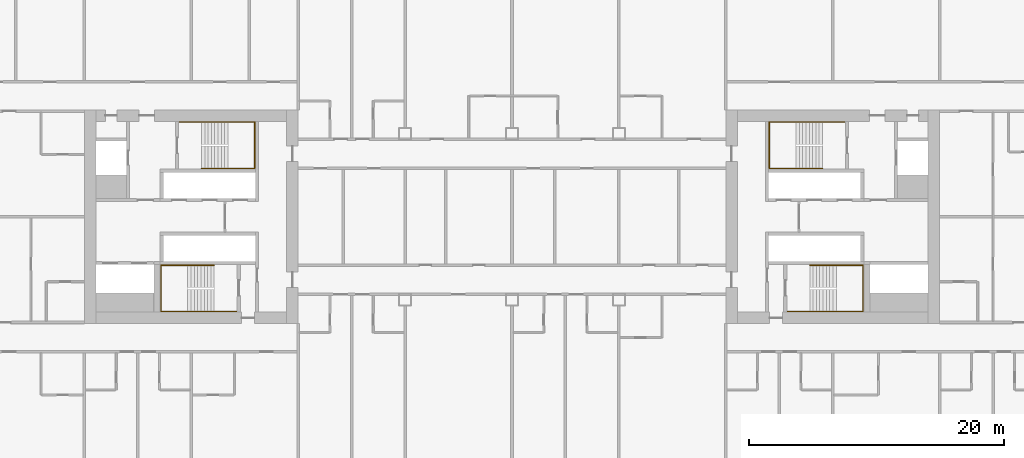
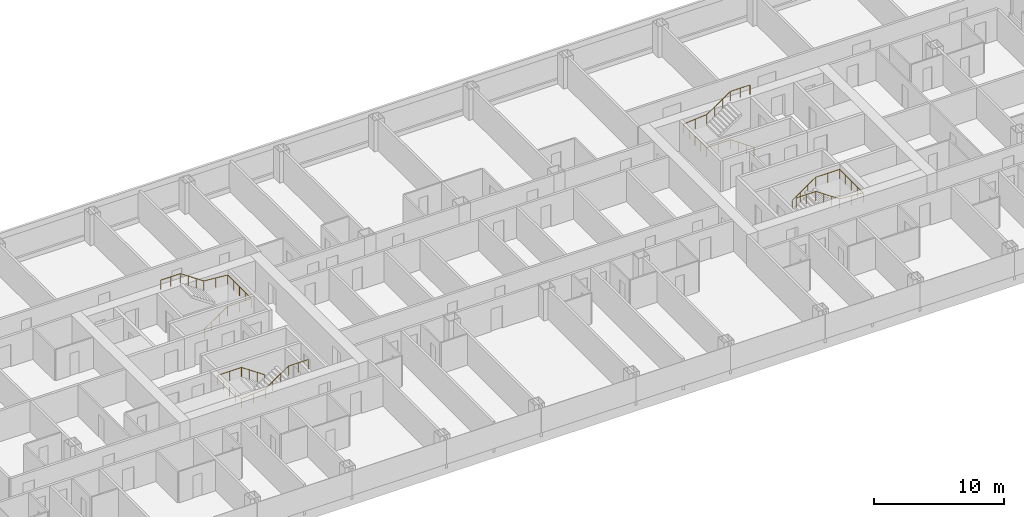
# One storey, part 29 of 29: 4 railings.
"""IFC4 building model written with IfcOpenShell, lengths in metres."""

from ifc_helpers import new_model, si_unit, direction, frame, origin, origin_2d, place, context, subcontext, project, spatial, circle, extrude, material, type_object, element, save


model = new_model("IFC4")

# Units and contexts
model_context = context("Model", 3, precision=1e-05, world=origin(), true_north=direction((0.0, 1.0)))
body_context = subcontext(model_context, "Body", "Model", "MODEL_VIEW")
ifc_project = project(units=[si_unit("LENGTHUNIT", "METRE"), si_unit("AREAUNIT", "SQUARE_METRE"), si_unit("VOLUMEUNIT", "CUBIC_METRE"), si_unit("PLANEANGLEUNIT", "RADIAN"), si_unit("MASSUNIT", "GRAM", prefix="KILO")], contexts=[model_context])

# Site, building, storey
site_placement = place(None, origin())
site = spatial("IfcSite", under=ifc_project, at=site_placement, CompositionType="ELEMENT")
building_placement = place(site_placement, origin())
building = spatial("IfcBuilding", under=site, at=building_placement, Name="Hakoniwa Tower and Hamabe Station Hall", CompositionType="ELEMENT")
storey_placement = place(building_placement, frame((0.0, 0.0, 61.39990234375)))
storey = spatial("IfcBuildingStorey", under=building, at=storey_placement, Name="L17", CompositionType="ELEMENT", Elevation=61.39990234375)

# Railings
ifc_material = material(Name="Stainless steel SUS304", Category="steel")
railing_type = type_object("IfcRailingType", Name="STAIR HANDRAIL 900", PredefinedType="HANDRAIL", material=ifc_material)
railing_1_placement = place(storey_placement, frame((-24.39990234375, 3.81005859375, 0.177978515625)))
element("IfcRailing", 1, at=railing_1_placement, inside=storey, type_object=railing_type, Name="Handrail ST-1 L17 1", PredefinedType="HANDRAIL", context=body_context, shape_type="SweptSolid", body=[
    extrude(circle(Radius=0.02392578125, at=origin_2d()), frame((0.0, 0.0, 0.8759765625), z_axis=(0.825478349766, 0.0, 0.564433781827), x_axis=(0.0, 1.0, 0.0)), (0.0, 0.0, 1.0), 2.51953125),
    extrude(circle(Radius=0.02392578125, at=origin_2d()), frame((2.079833984375, 0.0, 2.2978515625), z_axis=(1.0, 0.0, 0.0), x_axis=(0.0, 1.0, 0.0)), (0.0, 0.0, 1.0), 2.110107421875),
    extrude(circle(Radius=0.02392578125, at=origin_2d()), frame((4.18994140625, 0.0, 2.2978515625), z_axis=(0.0, 1.0, 0.0), x_axis=(-1.0, 0.0, 0.0)), (0.0, 0.0, 1.0), 3.6298828125),
    extrude(circle(Radius=0.02392578125, at=origin_2d()), frame((4.18994140625, 3.6298828125, 2.2978515625), z_axis=(-0.996471417081, 0.0, 0.083932800143), x_axis=(0.0, -1.0, 0.0)), (0.0, 0.0, 1.0), 2.11767578125),
    extrude(circle(Radius=0.02392578125, at=origin_2d()), frame((2.079833984375, 3.6298828125, 2.4755859375), z_axis=(-0.825433201882, 0.0, 0.564499804456), x_axis=(0.0, -1.0, 0.0)), (0.0, 0.0, 1.0), 2.519775390625),
    extrude(circle(Radius=0.02392578125, at=origin_2d()), frame((0.0, 3.6298828125, 3.89794921875), z_axis=(-1.0, 0.0, 0.0), x_axis=(0.0, -1.0, 0.0)), (0.0, 0.0, 1.0), 1.739990234375),
    extrude(circle(Radius=0.02099609375, at=origin_2d()), origin(), (0.0, 0.0, 1.0), 0.851806640625),
    extrude(circle(Radius=0.02099609375, at=origin_2d()), frame((0.693359375, 0.0, 0.47412109375)), (0.0, 0.0, 1.0), 0.851806640625),
    extrude(circle(Radius=0.02099609375, at=origin_2d()), frame((1.386474609375, 0.0, 0.947998046875)), (0.0, 0.0, 1.0), 0.851806640625),
    extrude(circle(Radius=0.02099609375, at=origin_2d()), frame((2.079833984375, 0.0, 1.422119140625)), (0.0, 0.0, 1.0), 0.851806640625),
    extrude(circle(Radius=0.02099609375, at=origin_2d()), frame((3.134765625, 0.0, 1.422119140625)), (0.0, 0.0, 1.0), 0.851806640625),
    extrude(circle(Radius=0.02099609375, at=origin_2d()), frame((4.18994140625, 0.0, 1.422119140625)), (0.0, 0.0, 1.0), 0.851806640625),
    extrude(circle(Radius=0.02099609375, at=origin_2d()), frame((4.18994140625, 0.907470703125, 1.422119140625)), (0.0, 0.0, 1.0), 0.851806640625),
    extrude(circle(Radius=0.02099609375, at=origin_2d()), frame((4.18994140625, 1.81494140625, 1.422119140625)), (0.0, 0.0, 1.0), 0.851806640625),
    extrude(circle(Radius=0.02099609375, at=origin_2d()), frame((4.18994140625, 2.722412109375, 1.422119140625)), (0.0, 0.0, 1.0), 0.851806640625),
    extrude(circle(Radius=0.02099609375, at=origin_2d()), frame((4.18994140625, 3.6298828125, 1.422119140625)), (0.0, 0.0, 1.0), 0.851806640625),
    extrude(circle(Radius=0.02099609375, at=origin_2d()), frame((3.134765625, 3.6298828125, 1.510986328125)), (0.0, 0.0, 1.0), 0.851806640625),
    extrude(circle(Radius=0.02099609375, at=origin_2d()), frame((2.079833984375, 3.6298828125, 1.599853515625)), (0.0, 0.0, 1.0), 0.851806640625),
    extrude(circle(Radius=0.02099609375, at=origin_2d()), frame((1.386474609375, 3.6298828125, 2.073974609375)), (0.0, 0.0, 1.0), 0.851806640625),
    extrude(circle(Radius=0.02099609375, at=origin_2d()), frame((0.693359375, 3.6298828125, 2.548095703125)), (0.0, 0.0, 1.0), 0.851806640625),
    extrude(circle(Radius=0.02099609375, at=origin_2d()), frame((0.0, 3.6298828125, 3.022216796875)), (0.0, 0.0, 1.0), 0.851806640625),
    extrude(circle(Radius=0.02099609375, at=origin_2d()), frame((-0.8701171875, 3.6298828125, 3.022216796875)), (0.0, 0.0, 1.0), 0.851806640625),
    extrude(circle(Radius=0.02099609375, at=origin_2d()), frame((-1.739990234375, 3.6298828125, 3.022216796875)), (0.0, 0.0, 1.0), 0.851806640625),
])
railing_2_placement = place(storey_placement, frame((-23.39990234375, -3.81005859375, 0.177978515625)))
element("IfcRailing", 2, at=railing_2_placement, inside=storey, type_object=railing_type, Name="Handrail ST-2 L17 1", PredefinedType="HANDRAIL", context=body_context, shape_type="SweptSolid", body=[
    extrude(circle(Radius=0.02392578125, at=origin_2d()), frame((0.0, 0.0, 0.8759765625), z_axis=(-0.82550921652, 0.0, 0.564388636881), x_axis=(0.0, -1.0, 0.0)), (0.0, 0.0, 1.0), 2.519775390625),
    extrude(circle(Radius=0.02392578125, at=origin_2d()), frame((-2.080078125, 0.0, 2.2978515625), z_axis=(-1.0, 0.0, 0.0), x_axis=(0.0, -1.0, 0.0)), (0.0, 0.0, 1.0), 2.110107421875),
    extrude(circle(Radius=0.02392578125, at=origin_2d()), frame((-4.190185546875, 0.0, 2.2978515625), z_axis=(0.0, -1.0, 0.0), x_axis=(1.0, 0.0, 0.0)), (0.0, 0.0, 1.0), 3.6298828125),
    extrude(circle(Radius=0.02392578125, at=origin_2d()), frame((-4.190185546875, -3.6298828125, 2.2978515625), z_axis=(0.996471417081, 0.0, 0.083932800143), x_axis=(0.0, 1.0, 0.0)), (0.0, 0.0, 1.0), 2.11767578125),
    extrude(circle(Radius=0.02392578125, at=origin_2d()), frame((-2.080078125, -3.6298828125, 2.4755859375), z_axis=(0.825464074169, 0.0, 0.564454659168), x_axis=(0.0, 1.0, 0.0)), (0.0, 0.0, 1.0), 2.519775390625),
    extrude(circle(Radius=0.02392578125, at=origin_2d()), frame((0.0, -3.6298828125, 3.89794921875), z_axis=(1.0, 0.0, 0.0), x_axis=(0.0, 1.0, 0.0)), (0.0, 0.0, 1.0), 1.739990234375),
    extrude(circle(Radius=0.02099609375, at=origin_2d()), origin(), (0.0, 0.0, 1.0), 0.851806640625),
    extrude(circle(Radius=0.02099609375, at=origin_2d()), frame((-0.693359375, 0.0, 0.47412109375)), (0.0, 0.0, 1.0), 0.851806640625),
    extrude(circle(Radius=0.02099609375, at=origin_2d()), frame((-1.38671875, 0.0, 0.947998046875)), (0.0, 0.0, 1.0), 0.851806640625),
    extrude(circle(Radius=0.02099609375, at=origin_2d()), frame((-2.080078125, 0.0, 1.422119140625)), (0.0, 0.0, 1.0), 0.851806640625),
    extrude(circle(Radius=0.02099609375, at=origin_2d()), frame((-3.13525390625, 0.0, 1.422119140625)), (0.0, 0.0, 1.0), 0.851806640625),
    extrude(circle(Radius=0.02099609375, at=origin_2d()), frame((-4.190185546875, 0.0, 1.422119140625)), (0.0, 0.0, 1.0), 0.851806640625),
    extrude(circle(Radius=0.02099609375, at=origin_2d()), frame((-4.190185546875, -0.907470703125, 1.422119140625)), (0.0, 0.0, 1.0), 0.851806640625),
    extrude(circle(Radius=0.02099609375, at=origin_2d()), frame((-4.190185546875, -1.81494140625, 1.422119140625)), (0.0, 0.0, 1.0), 0.851806640625),
    extrude(circle(Radius=0.02099609375, at=origin_2d()), frame((-4.190185546875, -2.722412109375, 1.422119140625)), (0.0, 0.0, 1.0), 0.851806640625),
    extrude(circle(Radius=0.02099609375, at=origin_2d()), frame((-4.190185546875, -3.6298828125, 1.422119140625)), (0.0, 0.0, 1.0), 0.851806640625),
    extrude(circle(Radius=0.02099609375, at=origin_2d()), frame((-3.13525390625, -3.6298828125, 1.510986328125)), (0.0, 0.0, 1.0), 0.851806640625),
    extrude(circle(Radius=0.02099609375, at=origin_2d()), frame((-2.080078125, -3.6298828125, 1.599853515625)), (0.0, 0.0, 1.0), 0.851806640625),
    extrude(circle(Radius=0.02099609375, at=origin_2d()), frame((-1.38671875, -3.6298828125, 2.073974609375)), (0.0, 0.0, 1.0), 0.851806640625),
    extrude(circle(Radius=0.02099609375, at=origin_2d()), frame((-0.693359375, -3.6298828125, 2.548095703125)), (0.0, 0.0, 1.0), 0.851806640625),
    extrude(circle(Radius=0.02099609375, at=origin_2d()), frame((0.0, -3.6298828125, 3.022216796875)), (0.0, 0.0, 1.0), 0.851806640625),
    extrude(circle(Radius=0.02099609375, at=origin_2d()), frame((0.8701171875, -3.6298828125, 3.022216796875)), (0.0, 0.0, 1.0), 0.851806640625),
    extrude(circle(Radius=0.02099609375, at=origin_2d()), frame((1.739990234375, -3.6298828125, 3.022216796875)), (0.0, 0.0, 1.0), 0.851806640625),
])
railing_3_placement = place(storey_placement, frame((24.39990234375, 3.81005859375, 0.177978515625)))
element("IfcRailing", 3, at=railing_3_placement, inside=storey, type_object=railing_type, Name="Handrail ST-3 L17 1", PredefinedType="HANDRAIL", context=body_context, shape_type="SweptSolid", body=[
    extrude(circle(Radius=0.02392578125, at=origin_2d()), frame((0.0, 0.0, 0.8759765625), z_axis=(-0.825478349766, 0.0, 0.564433781827), x_axis=(0.0, -1.0, 0.0)), (0.0, 0.0, 1.0), 2.51953125),
    extrude(circle(Radius=0.02392578125, at=origin_2d()), frame((-2.079833984375, 0.0, 2.2978515625), z_axis=(-1.0, 0.0, 0.0), x_axis=(0.0, -1.0, 0.0)), (0.0, 0.0, 1.0), 2.110107421875),
    extrude(circle(Radius=0.02392578125, at=origin_2d()), frame((-4.18994140625, 0.0, 2.2978515625), z_axis=(0.0, 1.0, 0.0), x_axis=(-1.0, 0.0, 0.0)), (0.0, 0.0, 1.0), 3.6298828125),
    extrude(circle(Radius=0.02392578125, at=origin_2d()), frame((-4.18994140625, 3.6298828125, 2.2978515625), z_axis=(0.996471417081, 0.0, 0.083932800143), x_axis=(0.0, 1.0, 0.0)), (0.0, 0.0, 1.0), 2.11767578125),
    extrude(circle(Radius=0.02392578125, at=origin_2d()), frame((-2.079833984375, 3.6298828125, 2.4755859375), z_axis=(0.825433201882, 0.0, 0.564499804456), x_axis=(0.0, 1.0, 0.0)), (0.0, 0.0, 1.0), 2.519775390625),
    extrude(circle(Radius=0.02392578125, at=origin_2d()), frame((0.0, 3.6298828125, 3.89794921875), z_axis=(1.0, 0.0, 0.0), x_axis=(0.0, 1.0, 0.0)), (0.0, 0.0, 1.0), 1.739990234375),
    extrude(circle(Radius=0.02099609375, at=origin_2d()), origin(), (0.0, 0.0, 1.0), 0.851806640625),
    extrude(circle(Radius=0.02099609375, at=origin_2d()), frame((-0.693359375, 0.0, 0.47412109375)), (0.0, 0.0, 1.0), 0.851806640625),
    extrude(circle(Radius=0.02099609375, at=origin_2d()), frame((-1.386474609375, 0.0, 0.947998046875)), (0.0, 0.0, 1.0), 0.851806640625),
    extrude(circle(Radius=0.02099609375, at=origin_2d()), frame((-2.079833984375, 0.0, 1.422119140625)), (0.0, 0.0, 1.0), 0.851806640625),
    extrude(circle(Radius=0.02099609375, at=origin_2d()), frame((-3.134765625, 0.0, 1.422119140625)), (0.0, 0.0, 1.0), 0.851806640625),
    extrude(circle(Radius=0.02099609375, at=origin_2d()), frame((-4.18994140625, 0.0, 1.422119140625)), (0.0, 0.0, 1.0), 0.851806640625),
    extrude(circle(Radius=0.02099609375, at=origin_2d()), frame((-4.18994140625, 0.907470703125, 1.422119140625)), (0.0, 0.0, 1.0), 0.851806640625),
    extrude(circle(Radius=0.02099609375, at=origin_2d()), frame((-4.18994140625, 1.81494140625, 1.422119140625)), (0.0, 0.0, 1.0), 0.851806640625),
    extrude(circle(Radius=0.02099609375, at=origin_2d()), frame((-4.18994140625, 2.722412109375, 1.422119140625)), (0.0, 0.0, 1.0), 0.851806640625),
    extrude(circle(Radius=0.02099609375, at=origin_2d()), frame((-4.18994140625, 3.6298828125, 1.422119140625)), (0.0, 0.0, 1.0), 0.851806640625),
    extrude(circle(Radius=0.02099609375, at=origin_2d()), frame((-3.134765625, 3.6298828125, 1.510986328125)), (0.0, 0.0, 1.0), 0.851806640625),
    extrude(circle(Radius=0.02099609375, at=origin_2d()), frame((-2.079833984375, 3.6298828125, 1.599853515625)), (0.0, 0.0, 1.0), 0.851806640625),
    extrude(circle(Radius=0.02099609375, at=origin_2d()), frame((-1.386474609375, 3.6298828125, 2.073974609375)), (0.0, 0.0, 1.0), 0.851806640625),
    extrude(circle(Radius=0.02099609375, at=origin_2d()), frame((-0.693359375, 3.6298828125, 2.548095703125)), (0.0, 0.0, 1.0), 0.851806640625),
    extrude(circle(Radius=0.02099609375, at=origin_2d()), frame((0.0, 3.6298828125, 3.022216796875)), (0.0, 0.0, 1.0), 0.851806640625),
    extrude(circle(Radius=0.02099609375, at=origin_2d()), frame((0.8701171875, 3.6298828125, 3.022216796875)), (0.0, 0.0, 1.0), 0.851806640625),
    extrude(circle(Radius=0.02099609375, at=origin_2d()), frame((1.739990234375, 3.6298828125, 3.022216796875)), (0.0, 0.0, 1.0), 0.851806640625),
])
railing_4_placement = place(storey_placement, frame((23.39990234375, -3.81005859375, 0.177978515625)))
element("IfcRailing", 4, at=railing_4_placement, inside=storey, type_object=railing_type, Name="Handrail ST-4 L17 1", PredefinedType="HANDRAIL", context=body_context, shape_type="SweptSolid", body=[
    extrude(circle(Radius=0.02392578125, at=origin_2d()), frame((0.0, 0.0, 0.8759765625), z_axis=(0.82550921652, 0.0, 0.564388636881), x_axis=(0.0, 1.0, 0.0)), (0.0, 0.0, 1.0), 2.519775390625),
    extrude(circle(Radius=0.02392578125, at=origin_2d()), frame((2.080078125, 0.0, 2.2978515625), z_axis=(1.0, 0.0, 0.0), x_axis=(0.0, 1.0, 0.0)), (0.0, 0.0, 1.0), 2.110107421875),
    extrude(circle(Radius=0.02392578125, at=origin_2d()), frame((4.190185546875, 0.0, 2.2978515625), z_axis=(0.0, -1.0, 0.0), x_axis=(1.0, 0.0, 0.0)), (0.0, 0.0, 1.0), 3.6298828125),
    extrude(circle(Radius=0.02392578125, at=origin_2d()), frame((4.190185546875, -3.6298828125, 2.2978515625), z_axis=(-0.996471417081, 0.0, 0.083932800143), x_axis=(0.0, -1.0, 0.0)), (0.0, 0.0, 1.0), 2.11767578125),
    extrude(circle(Radius=0.02392578125, at=origin_2d()), frame((2.080078125, -3.6298828125, 2.4755859375), z_axis=(-0.825464074169, 0.0, 0.564454659168), x_axis=(0.0, -1.0, 0.0)), (0.0, 0.0, 1.0), 2.519775390625),
    extrude(circle(Radius=0.02392578125, at=origin_2d()), frame((0.0, -3.6298828125, 3.89794921875), z_axis=(-1.0, 0.0, 0.0), x_axis=(0.0, -1.0, 0.0)), (0.0, 0.0, 1.0), 1.739990234375),
    extrude(circle(Radius=0.02099609375, at=origin_2d()), origin(), (0.0, 0.0, 1.0), 0.851806640625),
    extrude(circle(Radius=0.02099609375, at=origin_2d()), frame((0.693359375, 0.0, 0.47412109375)), (0.0, 0.0, 1.0), 0.851806640625),
    extrude(circle(Radius=0.02099609375, at=origin_2d()), frame((1.38671875, 0.0, 0.947998046875)), (0.0, 0.0, 1.0), 0.851806640625),
    extrude(circle(Radius=0.02099609375, at=origin_2d()), frame((2.080078125, 0.0, 1.422119140625)), (0.0, 0.0, 1.0), 0.851806640625),
    extrude(circle(Radius=0.02099609375, at=origin_2d()), frame((3.13525390625, 0.0, 1.422119140625)), (0.0, 0.0, 1.0), 0.851806640625),
    extrude(circle(Radius=0.02099609375, at=origin_2d()), frame((4.190185546875, 0.0, 1.422119140625)), (0.0, 0.0, 1.0), 0.851806640625),
    extrude(circle(Radius=0.02099609375, at=origin_2d()), frame((4.190185546875, -0.907470703125, 1.422119140625)), (0.0, 0.0, 1.0), 0.851806640625),
    extrude(circle(Radius=0.02099609375, at=origin_2d()), frame((4.190185546875, -1.81494140625, 1.422119140625)), (0.0, 0.0, 1.0), 0.851806640625),
    extrude(circle(Radius=0.02099609375, at=origin_2d()), frame((4.190185546875, -2.722412109375, 1.422119140625)), (0.0, 0.0, 1.0), 0.851806640625),
    extrude(circle(Radius=0.02099609375, at=origin_2d()), frame((4.190185546875, -3.6298828125, 1.422119140625)), (0.0, 0.0, 1.0), 0.851806640625),
    extrude(circle(Radius=0.02099609375, at=origin_2d()), frame((3.13525390625, -3.6298828125, 1.510986328125)), (0.0, 0.0, 1.0), 0.851806640625),
    extrude(circle(Radius=0.02099609375, at=origin_2d()), frame((2.080078125, -3.6298828125, 1.599853515625)), (0.0, 0.0, 1.0), 0.851806640625),
    extrude(circle(Radius=0.02099609375, at=origin_2d()), frame((1.38671875, -3.6298828125, 2.073974609375)), (0.0, 0.0, 1.0), 0.851806640625),
    extrude(circle(Radius=0.02099609375, at=origin_2d()), frame((0.693359375, -3.6298828125, 2.548095703125)), (0.0, 0.0, 1.0), 0.851806640625),
    extrude(circle(Radius=0.02099609375, at=origin_2d()), frame((0.0, -3.6298828125, 3.022216796875)), (0.0, 0.0, 1.0), 0.851806640625),
    extrude(circle(Radius=0.02099609375, at=origin_2d()), frame((-0.8701171875, -3.6298828125, 3.022216796875)), (0.0, 0.0, 1.0), 0.851806640625),
    extrude(circle(Radius=0.02099609375, at=origin_2d()), frame((-1.739990234375, -3.6298828125, 3.022216796875)), (0.0, 0.0, 1.0), 0.851806640625),
])

save(model, "model.ifc")
